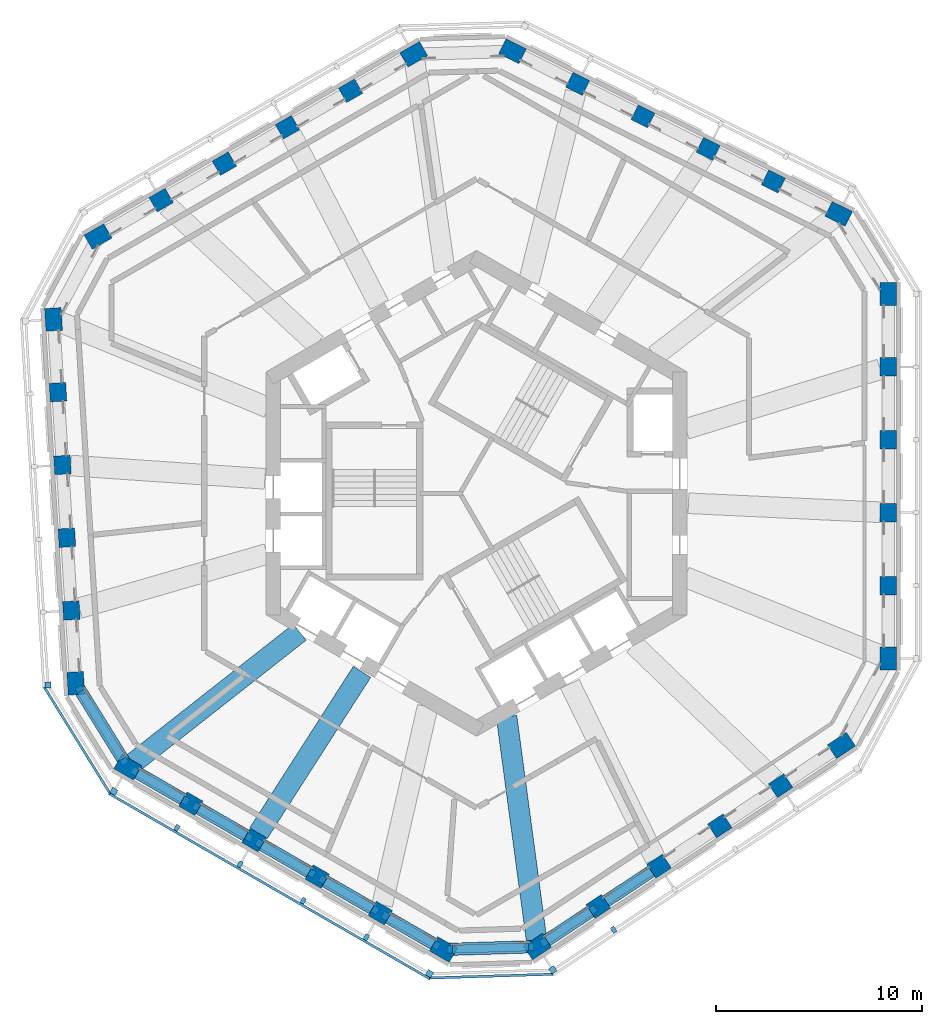
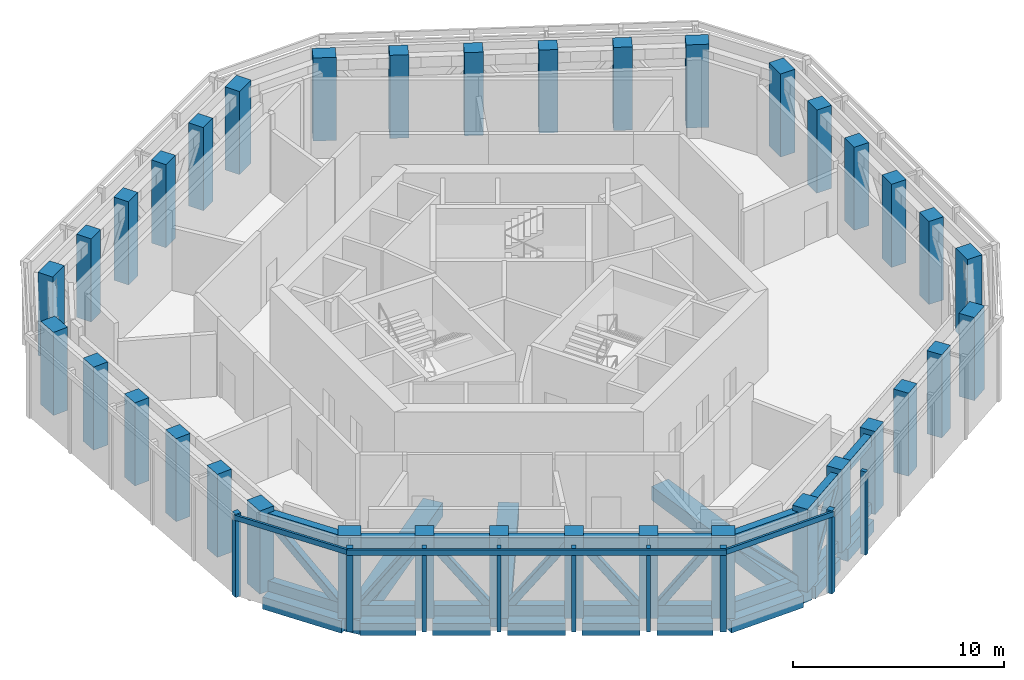
# One storey, part 1 of 14: 38 members, 36 columns, 12 beams, 5 elements without a shape of their own.
"""IFC4 building model written with IfcOpenShell, lengths in metres."""

from ifc_helpers import new_model, si_unit, direction, frame, origin, origin_2d, place, context, subcontext, project, spatial, rectangle, hollow_rectangle, extrude, material, material_profile, profile_set, type_object, element, aggregate, save


model = new_model("IFC4")

# Units and contexts
model_context = context("Model", 3, precision=1e-05, world=origin(), true_north=direction((0.0, 1.0)))
body_context = subcontext(model_context, "Body", "Model", "MODEL_VIEW")
ifc_project = project(units=[si_unit("LENGTHUNIT", "METRE"), si_unit("AREAUNIT", "SQUARE_METRE"), si_unit("VOLUMEUNIT", "CUBIC_METRE"), si_unit("PLANEANGLEUNIT", "RADIAN"), si_unit("MASSUNIT", "GRAM", prefix="KILO")], contexts=[model_context])

# Site, building, storey
site_placement = place(None, origin())
site = spatial("IfcSite", under=ifc_project, at=site_placement, CompositionType="ELEMENT")
building_placement = place(site_placement, origin())
building = spatial("IfcBuilding", under=site, at=building_placement, Name="Vanh Sen Convention Tower", CompositionType="ELEMENT")
storey_placement = place(building_placement, frame((0.0, 0.0, 255.0)))
storey = spatial("IfcBuildingStorey", under=building, at=storey_placement, Name="L63", CompositionType="ELEMENT", Elevation=255.0)

# Columns
ifc_material_1 = material(Name="Concrete C60/75", Category="concrete")
ifc_material_profile_1 = material_profile(ifc_material_1, rectangle(XDim=0.89990234375, YDim=0.800048828125, at=origin_2d()), Name="RC 900X800")
ifc_profile_set_1 = profile_set([ifc_material_profile_1], Name="Concrete C60/75")
column_type_1 = type_object("IfcColumnType", Name="Facade column 900 x 800 C60/75", PredefinedType="COLUMN", material=ifc_profile_set_1)
for number, where, z_axis, x_axis, name in (
    (1, (19.949951171875, -4.46923828125, 0.0), (0.0, 0.0, 1.0), (0.0, 1.0, 0.0), "Facade column 02 L63"),
    (2, (19.949951171875, -0.935546875, 0.0), (0.0, 0.0, 1.0), (0.0, 1.0, 0.0), "Facade column 03 L63"),
    (3, (19.949951171875, 2.59814453125, 0.0), (0.0, 0.0, 1.0), (0.0, 1.0, 0.0), "Facade column 04 L63"),
    (4, (19.949951171875, 6.131591796875, 0.0), (0.0, 0.0, 1.0), (0.0, 1.0, 0.0), "Facade column 05 L63"),
    (5, (14.38916015625, 15.117919921875, 0.0), (0.0, 0.0, 1.0), (-0.894934361602, 0.44619781311, 0.0), "Facade column 08 L63"),
    (6, (11.226806640625, 16.694580078125, 0.0), (0.0, 0.0, 1.0), (-0.894934361602, 0.44619781311, 0.0), "Facade column 09 L63"),
    (7, (8.064453125, 18.271484375, 0.0), (0.0, 0.0, 1.0), (-0.894934361602, 0.44619781311, 0.0), "Facade column 10 L63"),
    (8, (4.902099609375, 19.84814453125, 0.0), (0.0, 0.0, 1.0), (-0.894934361602, 0.44619781311, 0.0), "Facade column 11 L63"),
    (9, (-6.1044921875, 19.51171875, 0.0), (0.0, 0.0, 1.0), (-0.866025403784, -0.5, 0.0), "Facade column 14 L63"),
    (10, (-9.164794921875, 17.7451171875, 0.0), (0.0, 0.0, 1.0), (-0.866025403784, -0.5, 0.0), "Facade column 15 L63"),
    (11, (-12.22509765625, 15.978271484375, 0.0), (0.0, 0.0, 1.0), (-0.866025403784, -0.5, 0.0), "Facade column 16 L63"),
    (12, (-15.28515625, 14.211181640625, 0.0), (0.0, 0.0, 1.0), (-0.866025403784, -0.5, 0.0), "Facade column 17 L63"),
    (13, (-20.287109375, 4.90234375, 0.0), (0.0, 0.0, 1.0), (0.061048539535, -0.998134798422, 0.0), "Facade column 20 L63"),
    (14, (-20.0712890625, 1.375244140625, 0.0), (0.0, 0.0, 1.0), (0.061048539535, -0.998134798422, 0.0), "Facade column 21 L63"),
    (15, (-19.855712890625, -2.151611328125, 0.0), (0.0, 0.0, 1.0), (0.061048539535, -0.998134798422, 0.0), "Facade column 22 L63"),
    (16, (-19.639892578125, -5.6787109375, 0.0), (0.0, 0.0, 1.0), (0.061048539535, -0.998134798422, 0.0), "Facade column 23 L63"),
    (17, (-13.845458984375, -15.04248046875, 0.0), (0.0, 0.0, 1.0), (0.866025403784, -0.5, 0.0), "Facade column 26 L63"),
    (18, (-10.78515625, -16.809326171875, 0.0), (0.0, 0.0, 1.0), (0.866025403784, -0.5, 0.0), "Facade column 27 L63"),
    (19, (-7.72509765625, -18.576416015625, 0.0), (0.0, 0.0, 1.0), (0.866025403784, -0.5, 0.0), "Facade column 28 L63"),
    (20, (-4.664794921875, -20.343017578125, 0.0), (0.0, 0.0, 1.0), (0.866025403784, -0.5, 0.0), "Facade column 29 L63"),
    (21, (5.89794921875, -20.0205078125, 0.0), (0.0, 0.0, 1.0), (0.833885822067, 0.551936985312, 0.0), "Facade column 32 L63"),
    (22, (8.844482421875, -18.070068359375, 0.0), (0.0, 0.0, 1.0), (0.833885822067, 0.551936985312, 0.0), "Facade column 33 L63"),
    (23, (11.791259765625, -16.11962890625, 0.0), (0.0, 0.0, 1.0), (0.833885822067, 0.551936985312, 0.0), "Facade column 34 L63"),
    (24, (14.73779296875, -14.169189453125, 0.0), (0.0, 0.0, 1.0), (0.833885822067, 0.551936985312, 0.0), "Facade column 35 L63"),
):
    element("IfcColumn", number, at=place(storey_placement, frame(where, z_axis=z_axis, x_axis=x_axis)), inside=storey, type_object=column_type_1, Name=name, PredefinedType="COLUMN", context=body_context, shape_type="SweptSolid", body=[
        extrude(rectangle(XDim=0.89990234375, YDim=0.800048828125, at=origin_2d()), origin(), (0.0, 0.0, 1.0), 4.800048828125),
    ])
ifc_material_profile_2 = material_profile(ifc_material_1, rectangle(XDim=1.10009765625, YDim=0.800048828125, at=origin_2d()), Name="RC 1100X800")
ifc_profile_set_2 = profile_set([ifc_material_profile_2], Name="Concrete C60/75")
column_type_2 = type_object("IfcColumnType", Name="Facade corner column 1100 x 800 C60/75", PredefinedType="COLUMN", material=ifc_profile_set_2)
for number, where, z_axis, x_axis, name in (
    (25, (19.949951171875, -8.002685546875, 0.0), (0.0, 0.0, 1.0), (0.0, 1.0, 0.0), "Facade column 01 L63"),
    (26, (19.949951171875, 9.665283203125, 0.0), (0.0, 0.0, 1.0), (0.0, 1.0, 0.0), "Facade column 06 L63"),
    (27, (17.551513671875, 13.541259765625, 0.0), (0.0, 0.0, 1.0), (-0.894934361602, 0.44619781311, 0.0), "Facade column 07 L63"),
    (28, (1.73974609375, 21.4248046875, 0.0), (0.0, 0.0, 1.0), (-0.894934361602, 0.44619781311, 0.0), "Facade column 12 L63"),
    (29, (-3.04443359375, 21.278564453125, 0.0), (0.0, 0.0, 1.0), (-0.866025403784, -0.5, 0.0), "Facade column 13 L63"),
    (30, (-18.345458984375, 12.444580078125, 0.0), (0.0, 0.0, 1.0), (-0.866025403784, -0.5, 0.0), "Facade column 18 L63"),
    (31, (-20.502685546875, 8.429443359375, 0.0), (0.0, 0.0, 1.0), (0.061048539535, -0.998134798422, 0.0), "Facade column 19 L63"),
    (32, (-19.42431640625, -9.205810546875, 0.0), (0.0, 0.0, 1.0), (0.061048539535, -0.998134798422, 0.0), "Facade column 24 L63"),
    (33, (-16.905517578125, -13.27587890625, 0.0), (0.0, 0.0, 1.0), (0.866025403784, -0.5, 0.0), "Facade column 25 L63"),
    (34, (-1.6044921875, -22.10986328125, 0.0), (0.0, 0.0, 1.0), (0.866025403784, -0.5, 0.0), "Facade column 30 L63"),
    (35, (2.951416015625, -21.970703125, 0.0), (0.0, 0.0, 1.0), (0.833885822067, 0.551936985312, 0.0), "Facade column 31 L63"),
    (36, (17.6845703125, -12.218994140625, 0.0), (0.0, 0.0, 1.0), (0.833885822067, 0.551936985312, 0.0), "Facade column 36 L63"),
):
    element("IfcColumn", number, at=place(storey_placement, frame(where, z_axis=z_axis, x_axis=x_axis)), inside=storey, type_object=column_type_2, Name=name, PredefinedType="COLUMN", context=body_context, shape_type="SweptSolid", body=[
        extrude(rectangle(XDim=1.10009765625, YDim=0.800048828125, at=origin_2d()), origin(), (0.0, 0.0, 1.0), 4.800048828125),
    ])

# Members
ifc_material_2 = material(Name="Steel S460", Category="steel")
ifc_material_profile_3 = material_profile(ifc_material_2, hollow_rectangle(XDim=0.39990234375, YDim=0.60009765625, WallThickness=0.030029296875, at=origin_2d()), Name="BOX 600X400X30")
ifc_profile_set_3 = profile_set([ifc_material_profile_3], Name="Steel S460")
member_type_1 = type_object("IfcMemberType", Name="Belt truss chord BOX 600X400X30", PredefinedType="CHORD", material=ifc_profile_set_3)
for number, where, z_axis, x_axis, name in (
    (37, (-19.177978515625, -9.603515625, 0.300048828125), (0.526186532805, -0.850369174356, 0.0), (0.850369174356, 0.526186532805, 0.0), "BELT TRUSS chord bottom 24 L63"),
    (38, (-19.177978515625, -9.603515625, 4.199951171875), (0.526186532805, -0.850369174356, 0.0), (0.850369174356, 0.526186532805, 0.0), "BELT TRUSS chord top 24 L63"),
):
    element("IfcMember", number, at=place(storey_placement, frame(where, z_axis=z_axis, x_axis=x_axis)), inside=storey, type_object=member_type_1, Name=name, PredefinedType="CHORD", context=body_context, shape_type="SweptSolid", body=[
        extrude(hollow_rectangle(XDim=0.39990234375, YDim=0.60009765625, WallThickness=0.030029296875, at=origin_2d()), origin(), (0.0, 0.0, 1.0), 3.8505859375),
    ])
for number, where, z_axis, x_axis, name in (
    (39, (-16.43359375, -13.54833984375, 0.300048828125), (0.866043336059, -0.499968939103, 0.0), (0.499968939103, 0.866043336059, 0.0), "BELT TRUSS chord bottom 25 L63"),
    (40, (-16.43359375, -13.54833984375, 4.199951171875), (0.866043336059, -0.499968939103, 0.0), (0.499968939103, 0.866043336059, 0.0), "BELT TRUSS chord top 25 L63"),
):
    element("IfcMember", number, at=place(storey_placement, frame(where, z_axis=z_axis, x_axis=x_axis)), inside=storey, type_object=member_type_1, Name=name, PredefinedType="CHORD", context=body_context, shape_type="SweptSolid", body=[
        extrude(hollow_rectangle(XDim=0.39990234375, YDim=0.60009765625, WallThickness=0.030029296875, at=origin_2d()), origin(), (0.0, 0.0, 1.0), 2.543701171875),
    ])
for number, where, z_axis, x_axis, name in (
    (41, (-13.4599609375, -15.26513671875, 0.300048828125), (0.866017944311, -0.500012919964, 0.0), (0.500012919964, 0.866017944311, 0.0), "BELT TRUSS chord bottom 26 L63"),
    (42, (-13.4599609375, -15.26513671875, 4.199951171875), (0.866017944311, -0.500012919964, 0.0), (0.500012919964, 0.866017944311, 0.0), "BELT TRUSS chord top 26 L63"),
):
    element("IfcMember", number, at=place(storey_placement, frame(where, z_axis=z_axis, x_axis=x_axis)), inside=storey, type_object=member_type_1, Name=name, PredefinedType="CHORD", context=body_context, shape_type="SweptSolid", body=[
        extrude(hollow_rectangle(XDim=0.39990234375, YDim=0.60009765625, WallThickness=0.030029296875, at=origin_2d()), origin(), (0.0, 0.0, 1.0), 2.6435546875),
    ])
for number, where, z_axis, x_axis, name in (
    (43, (-10.39990234375, -17.031982421875, 0.300048828125), (0.866041031621, -0.499972930816, 0.0), (0.499972930816, 0.866041031621, 0.0), "BELT TRUSS chord bottom 27 L63"),
    (44, (-10.39990234375, -17.031982421875, 4.199951171875), (0.866041031621, -0.499972930816, 0.0), (0.499972930816, 0.866041031621, 0.0), "BELT TRUSS chord top 27 L63"),
):
    element("IfcMember", number, at=place(storey_placement, frame(where, z_axis=z_axis, x_axis=x_axis)), inside=storey, type_object=member_type_1, Name=name, PredefinedType="CHORD", context=body_context, shape_type="SweptSolid", body=[
        extrude(hollow_rectangle(XDim=0.39990234375, YDim=0.60009765625, WallThickness=0.030029296875, at=origin_2d()), origin(), (0.0, 0.0, 1.0), 2.643798828125),
    ])
for number, where, z_axis, x_axis, name in (
    (45, (-7.339599609375, -18.798828125, 0.300048828125), (0.866017944311, -0.500012919964, 0.0), (0.500012919964, 0.866017944311, 0.0), "BELT TRUSS chord bottom 28 L63"),
    (46, (-7.339599609375, -18.798828125, 4.199951171875), (0.866017944311, -0.500012919964, 0.0), (0.500012919964, 0.866017944311, 0.0), "BELT TRUSS chord top 28 L63"),
):
    element("IfcMember", number, at=place(storey_placement, frame(where, z_axis=z_axis, x_axis=x_axis)), inside=storey, type_object=member_type_1, Name=name, PredefinedType="CHORD", context=body_context, shape_type="SweptSolid", body=[
        extrude(hollow_rectangle(XDim=0.39990234375, YDim=0.60009765625, WallThickness=0.030029296875, at=origin_2d()), origin(), (0.0, 0.0, 1.0), 2.6435546875),
    ])
for number, where, z_axis, x_axis, name in (
    (47, (-4.279296875, -20.565673828125, 0.300048828125), (0.866043336059, -0.499968939103, 0.0), (0.499968939103, 0.866043336059, 0.0), "BELT TRUSS chord bottom 29 L63"),
    (48, (-4.279296875, -20.565673828125, 4.199951171875), (0.866043336059, -0.499968939103, 0.0), (0.499968939103, 0.866043336059, 0.0), "BELT TRUSS chord top 29 L63"),
):
    element("IfcMember", number, at=place(storey_placement, frame(where, z_axis=z_axis, x_axis=x_axis)), inside=storey, type_object=member_type_1, Name=name, PredefinedType="CHORD", context=body_context, shape_type="SweptSolid", body=[
        extrude(hollow_rectangle(XDim=0.39990234375, YDim=0.60009765625, WallThickness=0.030029296875, at=origin_2d()), origin(), (0.0, 0.0, 1.0), 2.543701171875),
    ])
for number, where, z_axis, x_axis, name in (
    (49, (-1.1728515625, -22.0966796875, 0.300048828125), (0.999533752193, 0.03053323152, 0.0), (-0.03053323152, 0.999533752193, 0.0), "BELT TRUSS chord bottom 30 L63"),
    (50, (-1.1728515625, -22.0966796875, 4.199951171875), (0.999533752193, 0.03053323152, 0.0), (-0.03053323152, 0.999533752193, 0.0), "BELT TRUSS chord top 30 L63"),
):
    element("IfcMember", number, at=place(storey_placement, frame(where, z_axis=z_axis, x_axis=x_axis)), inside=storey, type_object=member_type_1, Name=name, PredefinedType="CHORD", context=body_context, shape_type="SweptSolid", body=[
        extrude(hollow_rectangle(XDim=0.39990234375, YDim=0.60009765625, WallThickness=0.030029296875, at=origin_2d()), origin(), (0.0, 0.0, 1.0), 3.694091796875),
    ])
for number, where, z_axis, x_axis, name in (
    (51, (3.40576171875, -21.669921875, 0.300048828125), (0.833906220349, 0.551906165632, 0.0), (-0.551906165632, 0.833906220349, 0.0), "BELT TRUSS chord bottom 31 L63"),
    (52, (3.40576171875, -21.669921875, 4.199951171875), (0.833906220349, 0.551906165632, 0.0), (-0.551906165632, 0.833906220349, 0.0), "BELT TRUSS chord top 31 L63"),
):
    element("IfcMember", number, at=place(storey_placement, frame(where, z_axis=z_axis, x_axis=x_axis)), inside=storey, type_object=member_type_1, Name=name, PredefinedType="CHORD", context=body_context, shape_type="SweptSolid", body=[
        extrude(hollow_rectangle(XDim=0.39990234375, YDim=0.60009765625, WallThickness=0.030029296875, at=origin_2d()), origin(), (0.0, 0.0, 1.0), 2.54345703125),
    ])
for number, where, z_axis, x_axis, name in (
    (53, (6.26904296875, -19.77490234375, 0.300048828125), (0.833850316908, 0.551990624007, 0.0), (-0.551990624007, 0.833850316908, 0.0), "BELT TRUSS chord bottom 32 L63"),
    (54, (6.26904296875, -19.77490234375, 4.199951171875), (0.833850316908, 0.551990624007, 0.0), (-0.551990624007, 0.833850316908, 0.0), "BELT TRUSS chord top 32 L63"),
):
    element("IfcMember", number, at=place(storey_placement, frame(where, z_axis=z_axis, x_axis=x_axis)), inside=storey, type_object=member_type_1, Name=name, PredefinedType="CHORD", context=body_context, shape_type="SweptSolid", body=[
        extrude(hollow_rectangle(XDim=0.39990234375, YDim=0.60009765625, WallThickness=0.030029296875, at=origin_2d()), origin(), (0.0, 0.0, 1.0), 2.6435546875),
    ])
ifc_material_3 = material(Name="Steel S355", Category="steel")
ifc_material_profile_4 = material_profile(ifc_material_3, hollow_rectangle(XDim=0.39990234375, YDim=0.39990234375, WallThickness=0.01611328125, InnerFilletRadius=0.01611328125, OuterFilletRadius=0.031982421875, at=origin_2d()), Name="SHS 400X400X16")
ifc_profile_set_4 = profile_set([ifc_material_profile_4], Name="Steel S355")
member_type_2 = type_object("IfcMemberType", Name="Belt truss diagonal SHS 400X400X16", PredefinedType="BRACE", material=ifc_profile_set_4)
member_1_placement = place(storey_placement, frame((-19.244384765625, -9.49609375, 4.199951171875), z_axis=(0.381417322294, -0.616374533042, -0.688914552954), x_axis=(0.850356430372, 0.526207127779, 0.0)))
element("IfcMember", 55, at=member_1_placement, inside=storey, type_object=member_type_2, Name="BELT TRUSS diagonal 24 L63", PredefinedType="BRACE", context=body_context, shape_type="SweptSolid", body=[
    extrude(hollow_rectangle(XDim=0.39990234375, YDim=0.39990234375, WallThickness=0.01611328125, InnerFilletRadius=0.01611328125, OuterFilletRadius=0.031982421875, at=origin_2d()), origin(), (0.0, 0.0, 1.0), 5.660888671875),
])
member_2_placement = place(storey_placement, frame((-16.56201171875, -13.47412109375, 0.300048828125), z_axis=(0.509833043467, -0.294362165146, 0.808344718248), x_axis=(0.500012638089, 0.866018107057, 0.0)))
element("IfcMember", 56, at=member_2_placement, inside=storey, type_object=member_type_2, Name="BELT TRUSS diagonal 25 L63", PredefinedType="BRACE", context=body_context, shape_type="SweptSolid", body=[
    extrude(hollow_rectangle(XDim=0.39990234375, YDim=0.39990234375, WallThickness=0.01611328125, InnerFilletRadius=0.01611328125, OuterFilletRadius=0.031982421875, at=origin_2d()), origin(), (0.0, 0.0, 1.0), 4.824462890625),
])
for number, where, z_axis, x_axis, name in (
    (57, (-13.58837890625, -15.19091796875, 4.199951171875), (0.521329353584, -0.300980346911, -0.798515207034), (0.499988418424, 0.866032090307, 0.0), "BELT TRUSS diagonal 26 L63"),
    (58, (-10.5283203125, -16.957763671875, 0.300048828125), (0.52135791023, -0.301017961209, 0.798482383319), (0.50001473959, 0.866016893711, 0.0), "BELT TRUSS diagonal 27 L63"),
    (59, (-7.468017578125, -18.724609375, 4.199951171875), (0.521329353584, -0.300980346911, -0.798515207034), (0.499988418424, 0.866032090307, 0.0), "BELT TRUSS diagonal 28 L63"),
):
    element("IfcMember", number, at=place(storey_placement, frame(where, z_axis=z_axis, x_axis=x_axis)), inside=storey, type_object=member_type_2, Name=name, PredefinedType="BRACE", context=body_context, shape_type="SweptSolid", body=[
        extrude(hollow_rectangle(XDim=0.39990234375, YDim=0.39990234375, WallThickness=0.01611328125, InnerFilletRadius=0.01611328125, OuterFilletRadius=0.031982421875, at=origin_2d()), origin(), (0.0, 0.0, 1.0), 4.884033203125),
    ])
member_3_placement = place(storey_placement, frame((-4.40771484375, -20.491455078125, 0.300048828125), z_axis=(0.509833043467, -0.294362165146, 0.808344718248), x_axis=(0.500012638089, 0.866018107057, 0.0)))
element("IfcMember", 60, at=member_3_placement, inside=storey, type_object=member_type_2, Name="BELT TRUSS diagonal 29 L63", PredefinedType="BRACE", context=body_context, shape_type="SweptSolid", body=[
    extrude(hollow_rectangle(XDim=0.39990234375, YDim=0.39990234375, WallThickness=0.01611328125, InnerFilletRadius=0.01611328125, OuterFilletRadius=0.031982421875, at=origin_2d()), origin(), (0.0, 0.0, 1.0), 4.824462890625),
])
member_4_placement = place(storey_placement, frame((-1.302734375, -22.1005859375, 4.199951171875), z_axis=(0.711628121097, 0.021716351113, -0.702220632963), x_axis=(-0.030502232588, 0.999534698651, 0.0)))
element("IfcMember", 61, at=member_4_placement, inside=storey, type_object=member_type_2, Name="BELT TRUSS diagonal 30 L63", PredefinedType="BRACE", context=body_context, shape_type="SweptSolid", body=[
    extrude(hollow_rectangle(XDim=0.39990234375, YDim=0.39990234375, WallThickness=0.01611328125, InnerFilletRadius=0.01611328125, OuterFilletRadius=0.031982421875, at=origin_2d()), origin(), (0.0, 0.0, 1.0), 5.5537109375),
])
member_5_placement = place(storey_placement, frame((3.2822265625, -21.751708984375, 0.300048828125), z_axis=(0.490871631816, 0.324936778133, 0.808369427487), x_axis=(-0.551979429569, 0.833857727273, 0.0)))
element("IfcMember", 62, at=member_5_placement, inside=storey, type_object=member_type_2, Name="BELT TRUSS diagonal 31 L63", PredefinedType="BRACE", context=body_context, shape_type="SweptSolid", body=[
    extrude(hollow_rectangle(XDim=0.39990234375, YDim=0.39990234375, WallThickness=0.01611328125, InnerFilletRadius=0.01611328125, OuterFilletRadius=0.031982421875, at=origin_2d()), origin(), (0.0, 0.0, 1.0), 4.824462890625),
])

# Curtain wall, member
ifc_material_4 = material(Name="Concrete C50/60", Category="concrete")
curtain_wall_type = type_object("IfcCurtainWallType", Name="Outer skin office zone", PredefinedType="NOTDEFINED", material=ifc_material_4)
curtain_wall_1_placement = place(storey_placement, origin())
curtain_wall_1 = element("IfcCurtainWall", 63, at=curtain_wall_1_placement, inside=storey, type_object=curtain_wall_type, Name="OUTER SKIN W L63", PredefinedType="NOTDEFINED")
ifc_material_profile_5 = material_profile(ifc_material_4, rectangle(XDim=0.300048828125, YDim=0.300048828125, at=origin_2d()), Name="Outer skin precast corner fin 300 x 300")
ifc_profile_set_5 = profile_set([ifc_material_profile_5], Name="Concrete C50/60")
member_type_3 = type_object("IfcMemberType", Name="Outer skin precast corner fin 300 x 300", PredefinedType="MULLION", material=ifc_profile_set_5)
member_6_placement = place(storey_placement, frame((-20.771728515625, -9.2880859375, 0.0), z_axis=(0.0, 0.0, 1.0), x_axis=(0.061048539535, -0.998134798422, 0.0)))
member_6 = element("IfcMember", 64, at=member_6_placement, type_object=member_type_3, Name="OUTER SKIN CORNER FIN 6 W L63", PredefinedType="MULLION", context=body_context, shape_type="SweptSolid", body=[
    extrude(rectangle(XDim=0.300048828125, YDim=0.300048828125, at=origin_2d()), origin(), (0.0, 0.0, 1.0), 4.800048828125),
])
aggregate(curtain_wall_1, [member_6])

# Curtain wall, members
curtain_wall_2_placement = place(storey_placement, origin())
curtain_wall_2 = element("IfcCurtainWall", 65, at=curtain_wall_2_placement, inside=storey, type_object=curtain_wall_type, Name="OUTER SKIN SW L63", PredefinedType="NOTDEFINED")
member_7_placement = place(storey_placement, frame((-17.58056640625, -14.44482421875, 0.0), z_axis=(0.0, 0.0, 1.0), x_axis=(0.866025403784, -0.5, 0.0)))
member_7 = element("IfcMember", 66, at=member_7_placement, type_object=member_type_3, Name="OUTER SKIN CORNER FIN 1 SW L63", PredefinedType="MULLION", context=body_context, shape_type="SweptSolid", body=[
    extrude(rectangle(XDim=0.300048828125, YDim=0.300048828125, at=origin_2d()), origin(), (0.0, 0.0, 1.0), 4.800048828125),
])
member_8_placement = place(storey_placement, frame((-2.279541015625, -23.279052734375, 0.0), z_axis=(0.0, 0.0, 1.0), x_axis=(0.866025403784, -0.5, 0.0)))
member_8 = element("IfcMember", 67, at=member_8_placement, type_object=member_type_3, Name="OUTER SKIN CORNER FIN 6 SW L63", PredefinedType="MULLION", context=body_context, shape_type="SweptSolid", body=[
    extrude(rectangle(XDim=0.300048828125, YDim=0.300048828125, at=origin_2d()), origin(), (0.0, 0.0, 1.0), 4.800048828125),
])

# Curtain wall, member
curtain_wall_3_placement = place(storey_placement, origin())
curtain_wall_3 = element("IfcCurtainWall", 68, at=curtain_wall_3_placement, inside=storey, type_object=curtain_wall_type, Name="OUTER SKIN SE L63", PredefinedType="NOTDEFINED")
member_9_placement = place(storey_placement, frame((3.6962890625, -23.096435546875, 0.0), z_axis=(0.0, 0.0, 1.0), x_axis=(0.833885822067, 0.551936985312, 0.0)))
member_9 = element("IfcMember", 69, at=member_9_placement, type_object=member_type_3, Name="OUTER SKIN CORNER FIN 1 SE L63", PredefinedType="MULLION", context=body_context, shape_type="SweptSolid", body=[
    extrude(rectangle(XDim=0.300048828125, YDim=0.300048828125, at=origin_2d()), origin(), (0.0, 0.0, 1.0), 4.800048828125),
])

# Member
ifc_material_profile_6 = material_profile(ifc_material_4, rectangle(XDim=0.199951171875, YDim=0.300048828125, at=origin_2d()), Name="Outer skin precast fin 200 x 300")
ifc_profile_set_6 = profile_set([ifc_material_profile_6], Name="Concrete C50/60")
member_type_4 = type_object("IfcMemberType", Name="Outer skin precast fin 200 x 300", PredefinedType="MULLION", material=ifc_profile_set_6)
member_10_placement = place(storey_placement, frame((-14.5205078125, -16.211669921875, 0.0), z_axis=(0.0, 0.0, 1.0), x_axis=(0.866025403784, -0.5, 0.0)))
member_10 = element("IfcMember", 70, at=member_10_placement, type_object=member_type_4, Name="OUTER SKIN fin 2 SW L63", PredefinedType="MULLION", context=body_context, shape_type="SweptSolid", body=[
    extrude(rectangle(XDim=0.199951171875, YDim=0.300048828125, at=origin_2d()), origin(), (0.0, 0.0, 1.0), 4.800048828125),
])

member_11_placement = place(storey_placement, frame((-11.460205078125, -17.978515625, 0.0), z_axis=(0.0, 0.0, 1.0), x_axis=(0.866025403784, -0.5, 0.0)))
member_11 = element("IfcMember", 71, at=member_11_placement, type_object=member_type_4, Name="OUTER SKIN fin 3 SW L63", PredefinedType="MULLION", context=body_context, shape_type="SweptSolid", body=[
    extrude(rectangle(XDim=0.199951171875, YDim=0.300048828125, at=origin_2d()), origin(), (0.0, 0.0, 1.0), 4.800048828125),
])

member_12_placement = place(storey_placement, frame((-8.39990234375, -19.745361328125, 0.0), z_axis=(0.0, 0.0, 1.0), x_axis=(0.866025403784, -0.5, 0.0)))
member_12 = element("IfcMember", 72, at=member_12_placement, type_object=member_type_4, Name="OUTER SKIN fin 4 SW L63", PredefinedType="MULLION", context=body_context, shape_type="SweptSolid", body=[
    extrude(rectangle(XDim=0.199951171875, YDim=0.300048828125, at=origin_2d()), origin(), (0.0, 0.0, 1.0), 4.800048828125),
])

member_13_placement = place(storey_placement, frame((-5.33984375, -21.51220703125, 0.0), z_axis=(0.0, 0.0, 1.0), x_axis=(0.866025403784, -0.5, 0.0)))
member_13 = element("IfcMember", 73, at=member_13_placement, type_object=member_type_4, Name="OUTER SKIN fin 5 SW L63", PredefinedType="MULLION", context=body_context, shape_type="SweptSolid", body=[
    extrude(rectangle(XDim=0.199951171875, YDim=0.300048828125, at=origin_2d()), origin(), (0.0, 0.0, 1.0), 4.800048828125),
])

member_14_placement = place(storey_placement, frame((6.64306640625, -21.14599609375, 0.0), z_axis=(0.0, 0.0, 1.0), x_axis=(0.833885822067, 0.551936985312, 0.0)))
member_14 = element("IfcMember", 74, at=member_14_placement, type_object=member_type_4, Name="OUTER SKIN fin 2 SE L63", PredefinedType="MULLION", context=body_context, shape_type="SweptSolid", body=[
    extrude(rectangle(XDim=0.199951171875, YDim=0.300048828125, at=origin_2d()), origin(), (0.0, 0.0, 1.0), 4.800048828125),
])

aggregate(curtain_wall_3, [member_9, member_14])

# Curtain wall, member
curtain_wall_4_placement = place(storey_placement, origin())
curtain_wall_4 = element("IfcCurtainWall", 75, at=curtain_wall_4_placement, inside=storey, type_object=curtain_wall_type, Name="OUTER SKIN CH4 L63", PredefinedType="NOTDEFINED")
ifc_material_profile_7 = material_profile(ifc_material_4, rectangle(XDim=0.1201171875, YDim=0.300048828125, at=origin_2d()), Name="Outer skin precast spandrel band 300 x 120")
ifc_profile_set_7 = profile_set([ifc_material_profile_7], Name="Concrete C50/60")
member_type_5 = type_object("IfcMemberType", Name="Outer skin precast spandrel band 300 x 120", PredefinedType="USERDEFINED", material=ifc_profile_set_7)
member_15_placement = place(storey_placement, frame((-20.9501953125, -9.398681640625, 4.64990234375), z_axis=(0.526193830542, -0.850364658661, 0.0), x_axis=(0.850364658661, 0.526193830542, 0.0)))
member_15 = element("IfcMember", 76, at=member_15_placement, type_object=member_type_5, Name="OUTER SKIN spandrel band CH4 L63", ObjectType="TRANSOM", PredefinedType="USERDEFINED", context=body_context, shape_type="SweptSolid", body=[
    extrude(rectangle(XDim=0.1201171875, YDim=0.300048828125, at=origin_2d()), origin(), (0.0, 0.0, 1.0), 6.064208984375),
])
aggregate(curtain_wall_4, [member_15])

# Member
member_16_placement = place(storey_placement, frame((-17.8154296875, -14.5517578125, 4.64990234375), z_axis=(0.866022898019, -0.500004340088, 0.0), x_axis=(0.500004340088, 0.866022898019, 0.0)))
member_16 = element("IfcMember", 77, at=member_16_placement, type_object=member_type_5, Name="OUTER SKIN spandrel band SW L63", ObjectType="TRANSOM", PredefinedType="USERDEFINED", context=body_context, shape_type="SweptSolid", body=[
    extrude(rectangle(XDim=0.1201171875, YDim=0.300048828125, at=origin_2d()), origin(), (0.0, 0.0, 1.0), 17.968017578125),
])

aggregate(curtain_wall_2, [member_7, member_10, member_11, member_12, member_13, member_8, member_16])

# Curtain wall, member
curtain_wall_5_placement = place(storey_placement, origin())
curtain_wall_5 = element("IfcCurtainWall", 78, at=curtain_wall_5_placement, inside=storey, type_object=curtain_wall_type, Name="OUTER SKIN CH5 L63", PredefinedType="NOTDEFINED")
member_17_placement = place(storey_placement, frame((-2.273193359375, -23.489013671875, 4.64990234375), z_axis=(0.99953342946, 0.030543794642, 0.0), x_axis=(-0.030543794642, 0.99953342946, 0.0)))
member_17 = element("IfcMember", 79, at=member_17_placement, type_object=member_type_5, Name="OUTER SKIN spandrel band CH5 L63", ObjectType="TRANSOM", PredefinedType="USERDEFINED", context=body_context, shape_type="SweptSolid", body=[
    extrude(rectangle(XDim=0.1201171875, YDim=0.300048828125, at=origin_2d()), origin(), (0.0, 0.0, 1.0), 5.978759765625),
])
aggregate(curtain_wall_5, [member_17])

# Beams
ifc_material_5 = material(Name="Concrete C50/60", Category="concrete")
ifc_material_profile_8 = material_profile(ifc_material_5, rectangle(XDim=1.0, YDim=0.699951171875, at=origin_2d()), Name="RC 1000X700")
ifc_profile_set_8 = profile_set([ifc_material_profile_8], Name="Concrete C50/60")
beam_type_1 = type_object("IfcBeamType", Name="Radial floor beam 1000 x 700", PredefinedType="BEAM", material=ifc_profile_set_8)
beam_1_placement = place(storey_placement, frame((-10.57177734375, -16.4765625, -0.699951171875), z_axis=(0.54002316559, 0.841650153346, 0.0), x_axis=(-0.841650153346, 0.54002316559, 0.0)))
element("IfcBeam", 80, at=beam_1_placement, inside=storey, type_object=beam_type_1, Name="Radial beam 14 L63", PredefinedType="BEAM", context=body_context, shape_type="SweptSolid", body=[
    extrude(rectangle(XDim=1.0, YDim=0.699951171875, at=origin_2d()), origin(), (0.0, 0.0, 1.0), 9.293701171875),
])
ifc_material_profile_9 = material_profile(ifc_material_5, rectangle(XDim=1.0, YDim=0.800048828125, at=origin_2d()), Name="RC 1000X800")
ifc_profile_set_9 = profile_set([ifc_material_profile_9], Name="Concrete C50/60")
beam_type_2 = type_object("IfcBeamType", Name="Radial floor beam 1000 x 800", PredefinedType="BEAM", material=ifc_profile_set_9)
beam_2_placement = place(storey_placement, frame((-16.83349609375, -13.21923828125, -0.75), z_axis=(0.786485948899, 0.617608170432, 0.0), x_axis=(-0.617608170432, 0.786485948899, 0.0)))
element("IfcBeam", 81, at=beam_2_placement, inside=storey, type_object=beam_type_2, Name="Radial beam 13 L63", PredefinedType="BEAM", context=body_context, shape_type="SweptSolid", body=[
    extrude(rectangle(XDim=1.0, YDim=0.800048828125, at=origin_2d()), origin(), (0.0, 0.0, 1.0), 10.511474609375),
])
beam_3_placement = place(storey_placement, frame((2.936767578125, -21.862060546875, -0.75), z_axis=(-0.133139029048, 0.991097371071, 0.0), x_axis=(-0.991097371071, -0.133139029048, 0.0)))
element("IfcBeam", 82, at=beam_3_placement, inside=storey, type_object=beam_type_2, Name="Radial beam 16 L63", PredefinedType="BEAM", context=body_context, shape_type="SweptSolid", body=[
    extrude(rectangle(XDim=1.0, YDim=0.800048828125, at=origin_2d()), origin(), (0.0, 0.0, 1.0), 11.132568359375),
])
ifc_material_profile_10 = material_profile(ifc_material_5, rectangle(XDim=0.60009765625, YDim=0.699951171875, at=origin_2d()), Name="RC 600X700")
ifc_profile_set_10 = profile_set([ifc_material_profile_10], Name="Concrete C50/60")
beam_type_3 = type_object("IfcBeamType", Name="Spandrel beam 600 x 700", PredefinedType="SPANDREL", material=ifc_profile_set_10)
beam_4_placement = place(storey_placement, frame((-19.27587890625, -9.4453125, -0.699951171875), z_axis=(0.526189400691, -0.850367399775, 0.0), x_axis=(0.850367399775, 0.526189400691, 0.0)))
element("IfcBeam", 83, at=beam_4_placement, inside=storey, type_object=beam_type_3, Name="Spandrel beam 24 L63", PredefinedType="SPANDREL", context=body_context, shape_type="SweptSolid", body=[
    extrude(rectangle(XDim=0.60009765625, YDim=0.699951171875, at=origin_2d()), origin(), (0.0, 0.0, 1.0), 4.22265625),
])
beam_5_placement = place(storey_placement, frame((-16.476806640625, -13.523193359375, -0.699951171875), z_axis=(0.865977951575, -0.500082180631, 0.0), x_axis=(0.500082180631, 0.865977951575, 0.0)))
element("IfcBeam", 84, at=beam_5_placement, inside=storey, type_object=beam_type_3, Name="Spandrel beam 25 L63", PredefinedType="SPANDREL", context=body_context, shape_type="SweptSolid", body=[
    extrude(rectangle(XDim=0.60009765625, YDim=0.699951171875, at=origin_2d()), origin(), (0.0, 0.0, 1.0), 2.6435546875),
])
beam_6_placement = place(storey_placement, frame((-13.50341796875, -15.239990234375, -0.699951171875), z_axis=(0.866038895281, -0.499976631314, 0.0), x_axis=(0.499976631314, 0.866038895281, 0.0)))
element("IfcBeam", 85, at=beam_6_placement, inside=storey, type_object=beam_type_3, Name="Spandrel beam 26 L63", PredefinedType="SPANDREL", context=body_context, shape_type="SweptSolid", body=[
    extrude(rectangle(XDim=0.60009765625, YDim=0.699951171875, at=origin_2d()), origin(), (0.0, 0.0, 1.0), 2.743896484375),
])
for number, where, z_axis, x_axis, name in (
    (86, (-10.443115234375, -17.0068359375, -0.699951171875), (0.865978115955, -0.500081895979, 0.0), (0.500081895979, 0.865978115955, 0.0), "Spandrel beam 27 L63"),
    (87, (-7.3828125, -18.773681640625, -0.699951171875), (0.866016649877, -0.500015161905, 0.0), (0.500015161905, 0.866016649877, 0.0), "Spandrel beam 28 L63"),
):
    element("IfcBeam", number, at=place(storey_placement, frame(where, z_axis=z_axis, x_axis=x_axis)), inside=storey, type_object=beam_type_3, Name=name, PredefinedType="SPANDREL", context=body_context, shape_type="SweptSolid", body=[
        extrude(rectangle(XDim=0.60009765625, YDim=0.699951171875, at=origin_2d()), origin(), (0.0, 0.0, 1.0), 2.74365234375),
    ])
beam_7_placement = place(storey_placement, frame((-4.32275390625, -20.54052734375, -0.699951171875), z_axis=(0.866041031621, -0.499972930816, 0.0), x_axis=(0.499972930816, 0.866041031621, 0.0)))
element("IfcBeam", 88, at=beam_7_placement, inside=storey, type_object=beam_type_3, Name="Spandrel beam 29 L63", PredefinedType="SPANDREL", context=body_context, shape_type="SweptSolid", body=[
    extrude(rectangle(XDim=0.60009765625, YDim=0.699951171875, at=origin_2d()), origin(), (0.0, 0.0, 1.0), 2.643798828125),
])
beam_8_placement = place(storey_placement, frame((-1.334228515625, -22.1015625, -0.699951171875), z_axis=(0.999534520308, 0.030508076196, 0.0), x_axis=(-0.030508076196, 0.999534520308, 0.0)))
element("IfcBeam", 89, at=beam_8_placement, inside=storey, type_object=beam_type_3, Name="Spandrel beam 30 L63", PredefinedType="SPANDREL", context=body_context, shape_type="SweptSolid", body=[
    extrude(rectangle(XDim=0.60009765625, YDim=0.699951171875, at=origin_2d()), origin(), (0.0, 0.0, 1.0), 4.017333984375),
])
beam_9_placement = place(storey_placement, frame((3.364013671875, -21.697509765625, -0.699951171875), z_axis=(0.833878452865, 0.551948118801, 0.0), x_axis=(-0.551948118801, 0.833878452865, 0.0)))
element("IfcBeam", 90, at=beam_9_placement, inside=storey, type_object=beam_type_3, Name="Spandrel beam 31 L63", PredefinedType="SPANDREL", context=body_context, shape_type="SweptSolid", body=[
    extrude(rectangle(XDim=0.60009765625, YDim=0.699951171875, at=origin_2d()), origin(), (0.0, 0.0, 1.0), 2.643798828125),
])
beam_10_placement = place(storey_placement, frame((6.227294921875, -19.802490234375, -0.699951171875), z_axis=(0.833893663441, 0.551925138106, 0.0), x_axis=(-0.551925138106, 0.833893663441, 0.0)))
element("IfcBeam", 91, at=beam_10_placement, inside=storey, type_object=beam_type_3, Name="Spandrel beam 32 L63", PredefinedType="SPANDREL", context=body_context, shape_type="SweptSolid", body=[
    extrude(rectangle(XDim=0.60009765625, YDim=0.699951171875, at=origin_2d()), origin(), (0.0, 0.0, 1.0), 2.743896484375),
])

save(model, "model.ifc")
